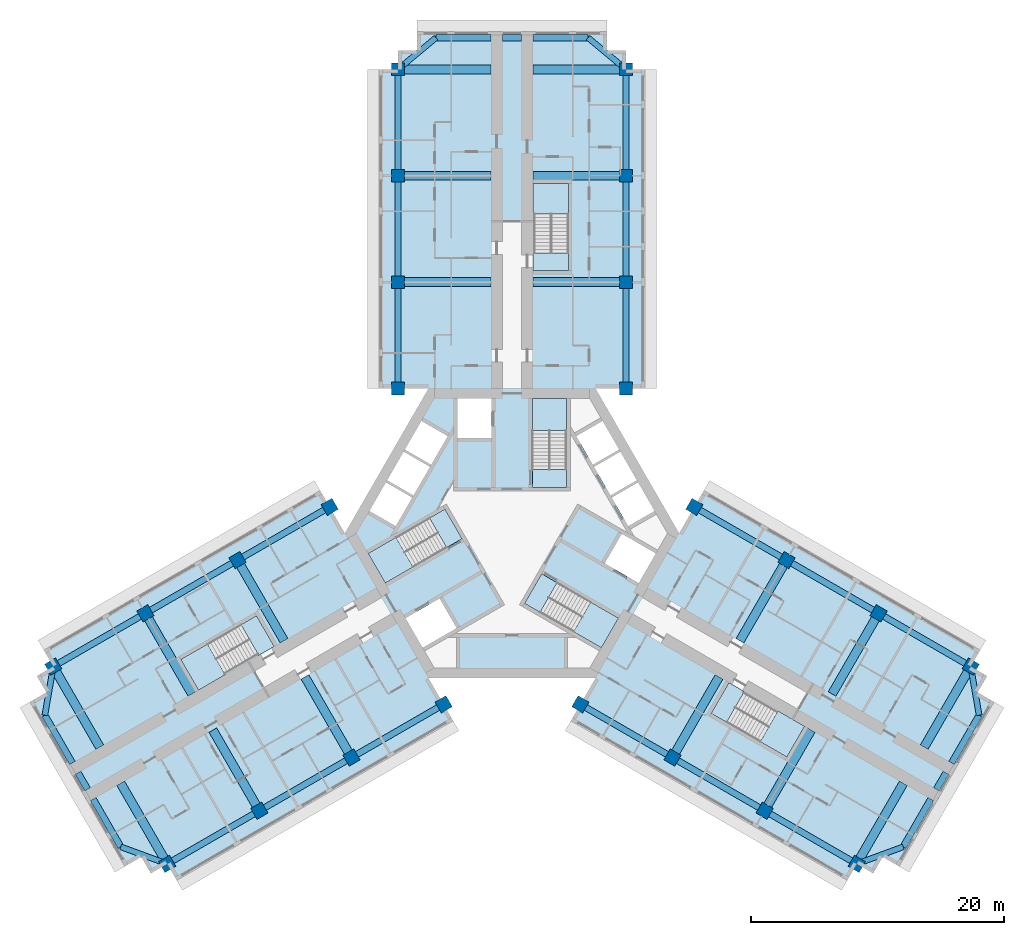
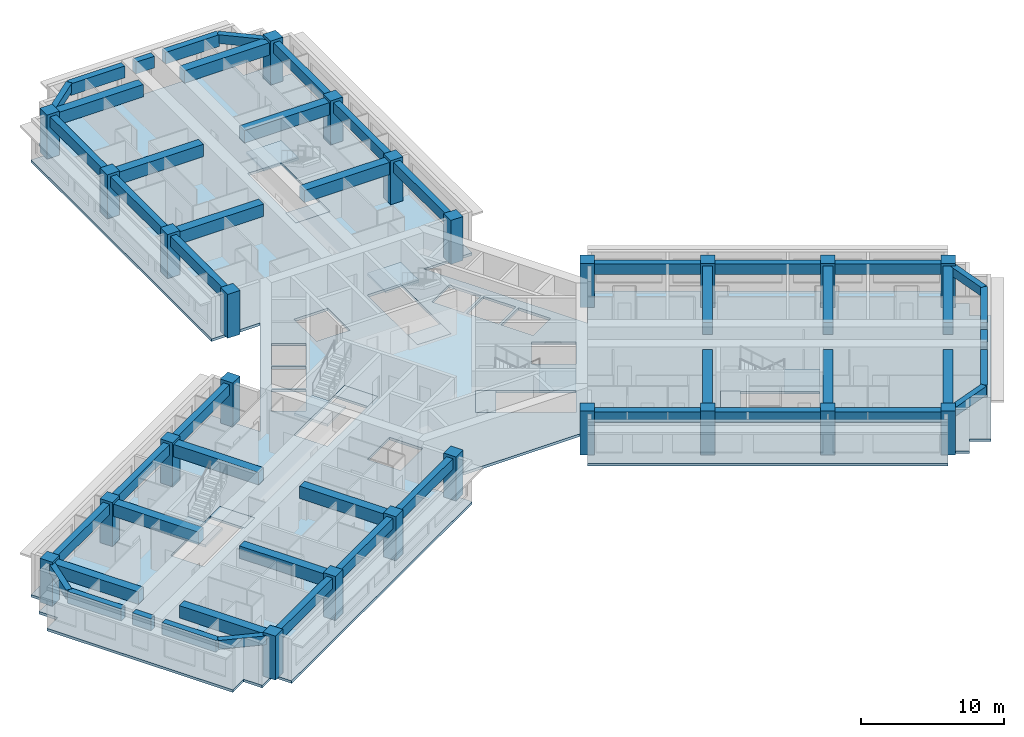
# One storey, part 1 of 12: 51 beams, 24 columns, 13 slabs, 6 elements without a shape of their own.
"""IFC4 building model written with IfcOpenShell, lengths in metres."""

from ifc_helpers import new_model, si_unit, direction, frame, origin, origin_2d, place, context, subcontext, project, spatial, polyline, rectangle, outline, extrude, material, layer, layer_set, material_profile, profile_set, type_object, element, aggregate, save


model = new_model("IFC4")

# Units and contexts
model_context = context("Model", 3, precision=1e-05, world=origin(), true_north=direction((0.0, 1.0)))
body_context = subcontext(model_context, "Body", "Model", "MODEL_VIEW")
ifc_project = project(units=[si_unit("LENGTHUNIT", "METRE"), si_unit("AREAUNIT", "SQUARE_METRE"), si_unit("VOLUMEUNIT", "CUBIC_METRE"), si_unit("PLANEANGLEUNIT", "RADIAN"), si_unit("MASSUNIT", "GRAM", prefix="KILO")], contexts=[model_context])

# Site, building, storey
site_placement = place(None, origin())
site = spatial("IfcSite", under=ifc_project, at=site_placement, CompositionType="ELEMENT")
building_placement = place(site_placement, origin())
building = spatial("IfcBuilding", under=site, at=building_placement, Name="Impinga Residences", CompositionType="ELEMENT")
storey_placement = place(building_placement, frame((0.0, 0.0, 162.25)))
storey = spatial("IfcBuildingStorey", under=building, at=storey_placement, Name="L40", CompositionType="ELEMENT", Elevation=162.25)

# Columns
ifc_material_1 = material(Name="Concrete C60/75", Category="concrete")
ifc_material_profile_1 = material_profile(ifc_material_1, rectangle(XDim=1.0, YDim=1.0, at=origin_2d()), Name="RC 1000x1000")
ifc_profile_set_1 = profile_set([ifc_material_profile_1], Name="Concrete C60/75")
column_type = type_object("IfcColumnType", Name="C3 1000x1000 column", PredefinedType="COLUMN", material=ifc_profile_set_1)
for number, where, z_axis, x_axis, name in (
    (1, (-9.0, 11.431640625, 0.0), (0.0, 0.0, 1.0), (1.0, 0.0, 0.0), "Column C3 N1/NA L40"),
    (2, (9.0, 11.431640625, 0.0), (0.0, 0.0, 1.0), (1.0, 0.0, 0.0), "Column C3 N1/NF L40"),
    (3, (-9.0, 19.83154296875, 0.0), (0.0, 0.0, 1.0), (1.0, 0.0, 0.0), "Column C3 N2/NA L40"),
    (4, (9.0, 19.83154296875, 0.0), (0.0, 0.0, 1.0), (1.0, 0.0, 0.0), "Column C3 N2/NF L40"),
    (5, (-9.0, 28.2314453125, 0.0), (0.0, 0.0, 1.0), (1.0, 0.0, 0.0), "Column C3 N3/NA L40"),
    (6, (9.0, 28.2314453125, 0.0), (0.0, 0.0, 1.0), (1.0, 0.0, 0.0), "Column C3 N3/NF L40"),
    (7, (-9.0, 36.631591796875, 0.0), (0.0, 0.0, 1.0), (1.0, 0.0, 0.0), "Column C3 N4/NA L40"),
    (8, (9.0, 36.631591796875, 0.0), (0.0, 0.0, 1.0), (1.0, 0.0, 0.0), "Column C3 N4/NF L40"),
    (9, (-5.39990234375, -13.510009765625, 0.0), (0.0, 0.0, 1.0), (-0.5, 0.866025403784, 0.0), "Column C3 W1/WA L40"),
    (10, (-14.39990234375, 2.078369140625, 0.0), (0.0, 0.0, 1.0), (-0.5, 0.866025403784, 0.0), "Column C3 W1/WF L40"),
    (11, (-12.674560546875, -17.7099609375, 0.0), (0.0, 0.0, 1.0), (-0.5, 0.866025403784, 0.0), "Column C3 W2/WA L40"),
    (12, (-21.674560546875, -2.12158203125, 0.0), (0.0, 0.0, 1.0), (-0.5, 0.866025403784, 0.0), "Column C3 W2/WF L40"),
    (13, (-19.94921875, -21.909912109375, 0.0), (0.0, 0.0, 1.0), (-0.5, 0.866025403784, 0.0), "Column C3 W3/WA L40"),
    (14, (-28.94921875, -6.321533203125, 0.0), (0.0, 0.0, 1.0), (-0.5, 0.866025403784, 0.0), "Column C3 W3/WF L40"),
    (15, (-27.223876953125, -26.110107421875, 0.0), (0.0, 0.0, 1.0), (-0.5, 0.866025403784, 0.0), "Column C3 W4/WA L40"),
    (16, (-36.223876953125, -10.521484375, 0.0), (0.0, 0.0, 1.0), (-0.5, 0.866025403784, 0.0), "Column C3 W4/WF L40"),
    (17, (14.39990234375, 2.078369140625, 0.0), (0.0, 0.0, 1.0), (-0.5, -0.866025403784, 0.0), "Column C3 E1/EA L40"),
    (18, (5.39990234375, -13.510009765625, 0.0), (0.0, 0.0, 1.0), (-0.5, -0.866025403784, 0.0), "Column C3 E1/EF L40"),
    (19, (21.674560546875, -2.12158203125, 0.0), (0.0, 0.0, 1.0), (-0.5, -0.866025403784, 0.0), "Column C3 E2/EA L40"),
    (20, (12.674560546875, -17.7099609375, 0.0), (0.0, 0.0, 1.0), (-0.5, -0.866025403784, 0.0), "Column C3 E2/EF L40"),
    (21, (28.94921875, -6.321533203125, 0.0), (0.0, 0.0, 1.0), (-0.5, -0.866025403784, 0.0), "Column C3 E3/EA L40"),
    (22, (19.94921875, -21.909912109375, 0.0), (0.0, 0.0, 1.0), (-0.5, -0.866025403784, 0.0), "Column C3 E3/EF L40"),
    (23, (36.223876953125, -10.521484375, 0.0), (0.0, 0.0, 1.0), (-0.5, -0.866025403784, 0.0), "Column C3 E4/EA L40"),
    (24, (27.223876953125, -26.110107421875, 0.0), (0.0, 0.0, 1.0), (-0.5, -0.866025403784, 0.0), "Column C3 E4/EF L40"),
):
    element("IfcColumn", number, at=place(storey_placement, frame(where, z_axis=z_axis, x_axis=x_axis)), inside=storey, type_object=column_type, Name=name, PredefinedType="COLUMN", context=body_context, shape_type="SweptSolid", body=[
        extrude(rectangle(XDim=1.0, YDim=1.0, at=origin_2d()), origin(), (0.0, 0.0, 1.0), 3.75),
    ])

# Beams
ifc_material_profile_2 = material_profile(ifc_material_1, rectangle(XDim=0.449951171875, YDim=0.75, at=origin_2d()), Name="RC 450x750")
ifc_profile_set_2 = profile_set([ifc_material_profile_2], Name="Concrete C60/75")
beam_type_1 = type_object("IfcBeamType", Name="CB1 450x750 wing end cantilever beam", PredefinedType="BEAM", material=ifc_profile_set_2)
for number, where, z_axis, x_axis, name in (
    (25, (-9.0, 36.631591796875, 3.155029296875), (0.768221279597, 0.640184399664, 0.0), (-0.640184399664, 0.768221279597, 0.0), "Beam CB1 NB N4-NX level L41"),
    (26, (9.0, 36.631591796875, 3.155029296875), (-0.768221279597, 0.640184399664, 0.0), (-0.640184399664, -0.768221279597, 0.0), "Beam CB1 NE N4-NX level L41"),
    (27, (-27.223876953125, -26.110107421875, 3.155029296875), (-0.938520178725, 0.345224382289, 0.0), (-0.345224382289, -0.938520178725, 0.0), "Beam CB1 WB W4-WX level L41"),
):
    element("IfcBeam", number, at=place(storey_placement, frame(where, z_axis=z_axis, x_axis=x_axis)), inside=storey, type_object=beam_type_1, Name=name, PredefinedType="BEAM", context=body_context, shape_type="SweptSolid", body=[
        extrude(rectangle(XDim=0.449951171875, YDim=0.75, at=origin_2d()), origin(), (0.0, 0.0, 1.0), 3.905029296875),
    ])
for number, where, z_axis, x_axis, name in (
    (28, (-36.223876953125, -10.521484375, 3.155029296875), (-0.170296298948, -0.985392901621, 0.0), (0.985392901621, -0.170296298948, 0.0), "Beam CB1 WE W4-WX level L41"),
    (29, (36.223876953125, -10.521484375, 3.155029296875), (0.170296298948, -0.985392901621, 0.0), (0.985392901621, 0.170296298948, 0.0), "Beam CB1 EB E4-EX level L41"),
):
    element("IfcBeam", number, at=place(storey_placement, frame(where, z_axis=z_axis, x_axis=x_axis)), inside=storey, type_object=beam_type_1, Name=name, PredefinedType="BEAM", context=body_context, shape_type="SweptSolid", body=[
        extrude(rectangle(XDim=0.449951171875, YDim=0.75, at=origin_2d()), origin(), (0.0, 0.0, 1.0), 3.9052734375),
    ])
beam_1_placement = place(storey_placement, frame((27.223876953125, -26.110107421875, 3.155029296875), z_axis=(0.938520178725, 0.345224382289, 0.0), x_axis=(-0.345224382289, 0.938520178725, 0.0)))
element("IfcBeam", 30, at=beam_1_placement, inside=storey, type_object=beam_type_1, Name="Beam CB1 EE E4-EX level L41", PredefinedType="BEAM", context=body_context, shape_type="SweptSolid", body=[
    extrude(rectangle(XDim=0.449951171875, YDim=0.75, at=origin_2d()), origin(), (0.0, 0.0, 1.0), 3.905029296875),
])
ifc_material_profile_3 = material_profile(ifc_material_1, rectangle(XDim=0.699951171875, YDim=1.050048828125, at=origin_2d()), Name="RC 700x1050")
ifc_profile_set_3 = profile_set([ifc_material_profile_3], Name="Concrete C60/75")
beam_type_2 = type_object("IfcBeamType", Name="CG1 700x1050 cross girder on a wing bay line", PredefinedType="BEAM", material=ifc_profile_set_3)
for number, where, z_axis, x_axis, name in (
    (31, (-1.64990234375, 19.83154296875, 3.0048828125), (-1.0, 0.0, 0.0), (0.0, -1.0, 0.0), "Beam CG1 N2 NC/NA level L41"),
    (32, (-1.64990234375, 28.2314453125, 3.0048828125), (-1.0, 0.0, 0.0), (0.0, -1.0, 0.0), "Beam CG1 N3 NC/NA level L41"),
    (33, (-1.64990234375, 36.631591796875, 3.0048828125), (-1.0, 0.0, 0.0), (0.0, -1.0, 0.0), "Beam CG1 N4 NC/NA level L41"),
    (34, (1.64990234375, 19.83154296875, 3.0048828125), (1.0, 0.0, 0.0), (0.0, 1.0, 0.0), "Beam CG1 N2 NC/NF level L41"),
    (35, (1.64990234375, 28.2314453125, 3.0048828125), (1.0, 0.0, 0.0), (0.0, 1.0, 0.0), "Beam CG1 N3 NC/NF level L41"),
    (36, (1.64990234375, 36.631591796875, 3.0048828125), (1.0, 0.0, 0.0), (0.0, 1.0, 0.0), "Beam CG1 N4 NC/NF level L41"),
    (37, (-16.349609375, -11.3447265625, 3.0048828125), (0.500008066151, -0.86602074674, 0.0), (0.86602074674, 0.500008066151, 0.0), "Beam CG1 W2 WC/WA level L41"),
    (38, (-23.624267578125, -15.544677734375, 3.0048828125), (0.500008066151, -0.86602074674, 0.0), (0.86602074674, 0.500008066151, 0.0), "Beam CG1 W3 WC/WA level L41"),
    (39, (-30.89892578125, -19.74462890625, 3.0048828125), (0.499993683172, -0.866029050776, 0.0), (0.866029050776, 0.499993683172, 0.0), "Beam CG1 W4 WC/WA level L41"),
    (40, (-17.99951171875, -8.48681640625, 3.0048828125), (-0.500008066151, 0.86602074674, 0.0), (-0.86602074674, -0.500008066151, 0.0), "Beam CG1 W2 WC/WF level L41"),
    (41, (-25.274169921875, -12.686767578125, 3.0048828125), (-0.500008066151, 0.86602074674, 0.0), (-0.86602074674, -0.500008066151, 0.0), "Beam CG1 W3 WC/WF level L41"),
    (42, (-32.548828125, -16.88671875, 3.0048828125), (-0.500008066151, 0.86602074674, 0.0), (-0.86602074674, -0.500008066151, 0.0), "Beam CG1 W4 WC/WF level L41"),
    (43, (17.99951171875, -8.48681640625, 3.0048828125), (0.500008066151, 0.86602074674, 0.0), (-0.86602074674, 0.500008066151, 0.0), "Beam CG1 E2 EC/EA level L41"),
    (44, (25.274169921875, -12.686767578125, 3.0048828125), (0.500008066151, 0.86602074674, 0.0), (-0.86602074674, 0.500008066151, 0.0), "Beam CG1 E3 EC/EA level L41"),
    (45, (32.548828125, -16.88671875, 3.0048828125), (0.500008066151, 0.86602074674, 0.0), (-0.86602074674, 0.500008066151, 0.0), "Beam CG1 E4 EC/EA level L41"),
    (46, (16.349609375, -11.3447265625, 3.0048828125), (-0.500008066151, -0.86602074674, 0.0), (0.86602074674, -0.500008066151, 0.0), "Beam CG1 E2 EC/EF level L41"),
    (47, (23.624267578125, -15.544677734375, 3.0048828125), (-0.500008066151, -0.86602074674, 0.0), (0.86602074674, -0.500008066151, 0.0), "Beam CG1 E3 EC/EF level L41"),
    (48, (30.89892578125, -19.74462890625, 3.0048828125), (-0.499993683172, -0.866029050776, 0.0), (0.866029050776, -0.499993683172, 0.0), "Beam CG1 E4 EC/EF level L41"),
):
    element("IfcBeam", number, at=place(storey_placement, frame(where, z_axis=z_axis, x_axis=x_axis)), inside=storey, type_object=beam_type_2, Name=name, PredefinedType="BEAM", context=body_context, shape_type="SweptSolid", body=[
        extrude(rectangle(XDim=0.699951171875, YDim=1.050048828125, at=origin_2d()), origin(), (0.0, 0.0, 1.0), 7.35009765625),
    ])
ifc_material_profile_4 = material_profile(ifc_material_1, rectangle(XDim=0.5, YDim=1.0, at=origin_2d()), Name="RC 500x1000")
ifc_profile_set_4 = profile_set([ifc_material_profile_4], Name="Concrete C60/75")
beam_type_3 = type_object("IfcBeamType", Name="EB1 500x1000 wing end beam", PredefinedType="BEAM", material=ifc_profile_set_4)
beam_2_placement = place(storey_placement, frame((-6.0, 39.131591796875, 3.030029296875), z_axis=(1.0, 0.0, 0.0), x_axis=(0.0, 1.0, 0.0)))
element("IfcBeam", 49, at=beam_2_placement, inside=storey, type_object=beam_type_3, Name="Beam EB1 NX3 level L41", PredefinedType="BEAM", context=body_context, shape_type="SweptSolid", body=[
    extrude(rectangle(XDim=0.5, YDim=1.0, at=origin_2d()), origin(), (0.0, 0.0, 1.0), 4.35009765625),
])
beam_3_placement = place(storey_placement, frame((-0.75, 39.131591796875, 3.030029296875), z_axis=(1.0, 0.0, 0.0), x_axis=(0.0, 1.0, 0.0)))
element("IfcBeam", 50, at=beam_3_placement, inside=storey, type_object=beam_type_3, Name="Beam EB1 NX3 level L41", PredefinedType="BEAM", context=body_context, shape_type="SweptSolid", body=[
    extrude(rectangle(XDim=0.5, YDim=1.0, at=origin_2d()), origin(), (0.0, 0.0, 1.0), 1.5),
])
for number, where, z_axis, x_axis, name in (
    (51, (1.64990234375, 39.131591796875, 3.030029296875), (1.0, 0.0, 0.0), (0.0, 1.0, 0.0), "Beam EB1 NX3 level L41"),
    (52, (-30.888916015625, -24.761962890625, 3.030029296875), (-0.499996127374, 0.866027639635, 0.0), (-0.866027639635, -0.499996127374, 0.0), "Beam EB1 WX3 level L41"),
):
    element("IfcBeam", number, at=place(storey_placement, frame(where, z_axis=z_axis, x_axis=x_axis)), inside=storey, type_object=beam_type_3, Name=name, PredefinedType="BEAM", context=body_context, shape_type="SweptSolid", body=[
        extrude(rectangle(XDim=0.5, YDim=1.0, at=origin_2d()), origin(), (0.0, 0.0, 1.0), 4.35009765625),
    ])
beam_4_placement = place(storey_placement, frame((-33.513916015625, -20.21533203125, 3.030029296875), z_axis=(-0.499990139034, 0.866031096941, 0.0), x_axis=(-0.866031096941, -0.499990139034, 0.0)))
element("IfcBeam", 53, at=beam_4_placement, inside=storey, type_object=beam_type_3, Name="Beam EB1 WX3 level L41", PredefinedType="BEAM", context=body_context, shape_type="SweptSolid", body=[
    extrude(rectangle(XDim=0.5, YDim=1.0, at=origin_2d()), origin(), (0.0, 0.0, 1.0), 1.5),
])
for number, where, z_axis, x_axis, name in (
    (54, (-34.7138671875, -18.13671875, 3.030029296875), (-0.500020430026, 0.866013608182, 0.0), (-0.866013608182, -0.500020430026, 0.0), "Beam EB1 WX3 level L41"),
    (55, (36.888916015625, -14.36962890625, 3.030029296875), (-0.500020430026, -0.866013608182, 0.0), (0.866013608182, -0.500020430026, 0.0), "Beam EB1 EX3 level L41"),
):
    element("IfcBeam", number, at=place(storey_placement, frame(where, z_axis=z_axis, x_axis=x_axis)), inside=storey, type_object=beam_type_3, Name=name, PredefinedType="BEAM", context=body_context, shape_type="SweptSolid", body=[
        extrude(rectangle(XDim=0.5, YDim=1.0, at=origin_2d()), origin(), (0.0, 0.0, 1.0), 4.349853515625),
    ])
beam_5_placement = place(storey_placement, frame((34.263916015625, -18.916259765625, 3.030029296875), z_axis=(-0.499990139034, -0.866031096941, 0.0), x_axis=(0.866031096941, -0.499990139034, 0.0)))
element("IfcBeam", 56, at=beam_5_placement, inside=storey, type_object=beam_type_3, Name="Beam EB1 EX3 level L41", PredefinedType="BEAM", context=body_context, shape_type="SweptSolid", body=[
    extrude(rectangle(XDim=0.5, YDim=1.0, at=origin_2d()), origin(), (0.0, 0.0, 1.0), 1.5),
])
beam_6_placement = place(storey_placement, frame((33.06396484375, -20.99462890625, 3.030029296875), z_axis=(-0.499996127374, -0.866027639635, 0.0), x_axis=(0.866027639635, -0.499996127374, 0.0)))
element("IfcBeam", 57, at=beam_6_placement, inside=storey, type_object=beam_type_3, Name="Beam EB1 EX3 level L41", PredefinedType="BEAM", context=body_context, shape_type="SweptSolid", body=[
    extrude(rectangle(XDim=0.5, YDim=1.0, at=origin_2d()), origin(), (0.0, 0.0, 1.0), 4.35009765625),
])
ifc_material_profile_5 = material_profile(ifc_material_1, rectangle(XDim=0.5, YDim=0.89990234375, at=origin_2d()), Name="RC 500x900")
ifc_profile_set_5 = profile_set([ifc_material_profile_5], Name="Concrete C60/75")
beam_type_4 = type_object("IfcBeamType", Name="SB1 500x900 perimeter spandrel beam", PredefinedType="SPANDREL", material=ifc_profile_set_5)
for number, where, z_axis, x_axis, name in (
    (58, (-9.0, 11.431640625, 3.080078125), (0.0, 1.0, 0.0), (-1.0, 0.0, 0.0), "Beam SB1 NA N1-N2 level L41"),
    (59, (-9.0, 19.83154296875, 3.080078125), (0.0, 1.0, 0.0), (-1.0, 0.0, 0.0), "Beam SB1 NA N2-N3 level L41"),
):
    element("IfcBeam", number, at=place(storey_placement, frame(where, z_axis=z_axis, x_axis=x_axis)), inside=storey, type_object=beam_type_4, Name=name, PredefinedType="SPANDREL", context=body_context, shape_type="SweptSolid", body=[
        extrude(rectangle(XDim=0.5, YDim=0.89990234375, at=origin_2d()), origin(), (0.0, 0.0, 1.0), 8.39990234375),
    ])
beam_7_placement = place(storey_placement, frame((-9.0, 28.2314453125, 3.080078125), z_axis=(0.0, 1.0, 0.0), x_axis=(-1.0, 0.0, 0.0)))
element("IfcBeam", 60, at=beam_7_placement, inside=storey, type_object=beam_type_4, Name="Beam SB1 NA N3-N4 level L41", PredefinedType="SPANDREL", context=body_context, shape_type="SweptSolid", body=[
    extrude(rectangle(XDim=0.5, YDim=0.89990234375, at=origin_2d()), origin(), (0.0, 0.0, 1.0), 8.400146484375),
])
for number, where, z_axis, x_axis, name in (
    (61, (9.0, 11.431640625, 3.080078125), (0.0, 1.0, 0.0), (-1.0, 0.0, 0.0), "Beam SB1 NF N1-N2 level L41"),
    (62, (9.0, 19.83154296875, 3.080078125), (0.0, 1.0, 0.0), (-1.0, 0.0, 0.0), "Beam SB1 NF N2-N3 level L41"),
):
    element("IfcBeam", number, at=place(storey_placement, frame(where, z_axis=z_axis, x_axis=x_axis)), inside=storey, type_object=beam_type_4, Name=name, PredefinedType="SPANDREL", context=body_context, shape_type="SweptSolid", body=[
        extrude(rectangle(XDim=0.5, YDim=0.89990234375, at=origin_2d()), origin(), (0.0, 0.0, 1.0), 8.39990234375),
    ])
beam_8_placement = place(storey_placement, frame((9.0, 28.2314453125, 3.080078125), z_axis=(0.0, 1.0, 0.0), x_axis=(-1.0, 0.0, 0.0)))
element("IfcBeam", 63, at=beam_8_placement, inside=storey, type_object=beam_type_4, Name="Beam SB1 NF N3-N4 level L41", PredefinedType="SPANDREL", context=body_context, shape_type="SweptSolid", body=[
    extrude(rectangle(XDim=0.5, YDim=0.89990234375, at=origin_2d()), origin(), (0.0, 0.0, 1.0), 8.400146484375),
])
for number, where, z_axis, x_axis, name in (
    (64, (-5.39990234375, -13.510009765625, 3.080078125), (-0.86602925447, -0.499993330357, 0.0), (0.499993330357, -0.86602925447, 0.0), "Beam SB1 WA W1-W2 level L41"),
    (65, (-12.674560546875, -17.7099609375, 3.080078125), (-0.86602925447, -0.499993330357, 0.0), (0.499993330357, -0.86602925447, 0.0), "Beam SB1 WA W2-W3 level L41"),
):
    element("IfcBeam", number, at=place(storey_placement, frame(where, z_axis=z_axis, x_axis=x_axis)), inside=storey, type_object=beam_type_4, Name=name, PredefinedType="SPANDREL", context=body_context, shape_type="SweptSolid", body=[
        extrude(rectangle(XDim=0.5, YDim=0.89990234375, at=origin_2d()), origin(), (0.0, 0.0, 1.0), 8.39990234375),
    ])
beam_9_placement = place(storey_placement, frame((-19.94921875, -21.909912109375, 3.080078125), z_axis=(-0.866016669275, -0.500015128309, 0.0), x_axis=(0.500015128309, -0.866016669275, 0.0)))
element("IfcBeam", 66, at=beam_9_placement, inside=storey, type_object=beam_type_4, Name="Beam SB1 WA W3-W4 level L41", PredefinedType="SPANDREL", context=body_context, shape_type="SweptSolid", body=[
    extrude(rectangle(XDim=0.5, YDim=0.89990234375, at=origin_2d()), origin(), (0.0, 0.0, 1.0), 8.400146484375),
])
for number, where, z_axis, x_axis, name in (
    (67, (-14.39990234375, 2.078369140625, 3.080078125), (-0.86602925447, -0.499993330357, 0.0), (0.499993330357, -0.86602925447, 0.0), "Beam SB1 WF W1-W2 level L41"),
    (68, (-21.674560546875, -2.12158203125, 3.080078125), (-0.86602925447, -0.499993330357, 0.0), (0.499993330357, -0.86602925447, 0.0), "Beam SB1 WF W2-W3 level L41"),
    (69, (-28.94921875, -6.321533203125, 3.080078125), (-0.86602925447, -0.499993330357, 0.0), (0.499993330357, -0.86602925447, 0.0), "Beam SB1 WF W3-W4 level L41"),
    (70, (14.39990234375, 2.078369140625, 3.080078125), (0.86602925447, -0.499993330357, 0.0), (0.499993330357, 0.86602925447, 0.0), "Beam SB1 EA E1-E2 level L41"),
    (71, (21.674560546875, -2.12158203125, 3.080078125), (0.86602925447, -0.499993330357, 0.0), (0.499993330357, 0.86602925447, 0.0), "Beam SB1 EA E2-E3 level L41"),
    (72, (28.94921875, -6.321533203125, 3.080078125), (0.86602925447, -0.499993330357, 0.0), (0.499993330357, 0.86602925447, 0.0), "Beam SB1 EA E3-E4 level L41"),
    (73, (5.39990234375, -13.510009765625, 3.080078125), (0.86602925447, -0.499993330357, 0.0), (0.499993330357, 0.86602925447, 0.0), "Beam SB1 EF E1-E2 level L41"),
    (74, (12.674560546875, -17.7099609375, 3.080078125), (0.86602925447, -0.499993330357, 0.0), (0.499993330357, 0.86602925447, 0.0), "Beam SB1 EF E2-E3 level L41"),
):
    element("IfcBeam", number, at=place(storey_placement, frame(where, z_axis=z_axis, x_axis=x_axis)), inside=storey, type_object=beam_type_4, Name=name, PredefinedType="SPANDREL", context=body_context, shape_type="SweptSolid", body=[
        extrude(rectangle(XDim=0.5, YDim=0.89990234375, at=origin_2d()), origin(), (0.0, 0.0, 1.0), 8.39990234375),
    ])
beam_10_placement = place(storey_placement, frame((19.94921875, -21.909912109375, 3.080078125), z_axis=(0.866016669275, -0.500015128309, 0.0), x_axis=(0.500015128309, 0.866016669275, 0.0)))
element("IfcBeam", 75, at=beam_10_placement, inside=storey, type_object=beam_type_4, Name="Beam SB1 EF E3-E4 level L41", PredefinedType="SPANDREL", context=body_context, shape_type="SweptSolid", body=[
    extrude(rectangle(XDim=0.5, YDim=0.89990234375, at=origin_2d()), origin(), (0.0, 0.0, 1.0), 8.400146484375),
])

# Slab
ifc_layer_1 = layer(ifc_material_1, 0.219970703125)
ifc_layer_set_1 = layer_set([ifc_layer_1], Name="Concrete C60/75")
slab_type_1 = type_object("IfcSlabType", Name="FS1 tower floor slab 220", PredefinedType="FLOOR", material=ifc_layer_set_1)
slab_1_placement = place(storey_placement, frame((0.0, 0.0, -0.219970703125)))
element("IfcSlab", 76, at=slab_1_placement, inside=storey, type_object=slab_type_1, Name="Floor slab FS1 L40", PredefinedType="FLOOR", context=body_context, shape_type="SweptSolid", body=[
    extrude(outline(polyline([(-27.223876953125, -26.110107421875), (-28.52294921875, -26.860107421875), (-29.27294921875, -25.56103515625), (-30.572021484375, -26.31103515625), (-38.072021484375, -13.320556640625), (-36.77294921875, -12.570556640625), (-37.52294921875, -11.271484375), (-36.223876953125, -10.521484375), (-36.973876953125, -9.222412109375), (-15.14990234375, 3.37744140625), (-13.199951171875, 0.0), (-6.60009765625, 11.431640625), (-10.5, 11.431640625), (-10.5, 36.631591796875), (-9.0, 36.631591796875), (-9.0, 38.131591796875), (-7.5, 38.131591796875), (-7.5, 39.631591796875), (7.5, 39.631591796875), (7.5, 38.131591796875), (9.0, 38.131591796875), (9.0, 36.631591796875), (10.5, 36.631591796875), (10.5, 11.431640625), (6.60009765625, 11.431640625), (13.199951171875, 0.0), (15.14990234375, 3.37744140625), (36.973876953125, -9.222412109375), (36.223876953125, -10.521484375), (37.52294921875, -11.271484375), (36.77294921875, -12.570556640625), (38.072021484375, -13.320556640625), (30.572021484375, -26.31103515625), (29.27294921875, -25.56103515625), (28.52294921875, -26.860107421875), (27.223876953125, -26.110107421875), (26.473876953125, -27.408935546875), (4.64990234375, -14.80908203125), (9.900146484375, -5.7158203125), (6.60009765625, -11.431640625), (-6.60009765625, -11.431640625), (-9.900146484375, -5.7158203125), (-4.64990234375, -14.80908203125), (-26.473876953125, -27.408935546875), (-27.223876953125, -26.110107421875)]), holes=[polyline([(-18.779052734375, -8.936767578125), (-18.8291015625, -8.850341796875), (-18.8291015625, -8.850341796875), (-20.178955078125, -6.511962890625), (-21.391357421875, -7.2119140625), (-21.391357421875, -7.2119140625), (-26.154541015625, -9.9619140625), (-24.8046875, -12.30029296875), (-20.04150390625, -9.55029296875), (-19.991455078125, -9.63671875), (-18.779052734375, -8.936767578125)]), polyline([(-4.37109375, -7.489013671875), (-5.72119140625, -5.150634765625), (-8.4072265625, -6.701416015625), (-7.05712890625, -9.039794921875), (-4.37109375, -7.489013671875)]), polyline([(-3.943603515625, -0.429443359375), (-5.293701171875, 1.908935546875), (-11.357177734375, -1.591796875), (-10.007080078125, -3.93017578125), (-3.943603515625, -0.429443359375)]), polyline([(-7.878662109375, 2.816650390625), (-9.957275390625, 4.016845703125), (-11.257080078125, 1.76513671875), (-9.1787109375, 0.56494140625), (-7.878662109375, 2.816650390625)]), polyline([(-6.478759765625, 5.24169921875), (-8.55712890625, 6.441650390625), (-9.857177734375, 4.18994140625), (-7.77880859375, 2.989990234375), (-6.478759765625, 5.24169921875)]), polyline([(4.300048828125, 3.6298828125), (4.300048828125, 10.631591796875), (1.60009765625, 10.631591796875), (1.60009765625, 3.6298828125), (4.300048828125, 3.6298828125)]), polyline([(-6.378662109375, 5.414794921875), (-5.07861328125, 7.66650390625), (-7.1572265625, 8.866455078125), (-8.457275390625, 6.61474609375), (-6.378662109375, 5.414794921875)]), polyline([(-4.300048828125, 7.530029296875), (-1.60009765625, 7.530029296875), (-1.60009765625, 10.631591796875), (-4.300048828125, 10.631591796875), (-4.300048828125, 7.530029296875)]), polyline([(4.449951171875, 20.7314453125), (4.449951171875, 22.131591796875), (4.449951171875, 27.631591796875), (1.75, 27.631591796875), (1.75, 22.131591796875), (1.64990234375, 22.131591796875), (1.64990234375, 20.7314453125), (1.75, 20.7314453125), (4.449951171875, 20.7314453125)]), polyline([(15.72900390625, -14.219482421875), (21.70458984375, -17.669677734375), (23.0546875, -15.331298828125), (18.29150390625, -12.581298828125), (18.341552734375, -12.49462890625), (17.129150390625, -11.794677734375), (15.72900390625, -14.219482421875)]), polyline([(2.34375, -3.20068359375), (0.99365234375, -5.538818359375), (7.05712890625, -9.039794921875), (8.4072265625, -6.701416015625), (2.34375, -3.20068359375)]), polyline([(7.3212890625, -2.37939453125), (10.007080078125, -3.93017578125), (11.357177734375, -1.591796875), (8.671142578125, -0.041015625), (7.3212890625, -2.37939453125)]), polyline([(7.878662109375, 2.816650390625), (9.1787109375, 0.56494140625), (11.257080078125, 1.76513671875), (9.957275390625, 4.016845703125), (7.878662109375, 2.816650390625)]), polyline([(6.478759765625, 5.24169921875), (7.77880859375, 2.989990234375), (9.857177734375, 4.18994140625), (8.55712890625, 6.441650390625), (6.478759765625, 5.24169921875)]), polyline([(6.378662109375, 5.414794921875), (8.457275390625, 6.61474609375), (7.1572265625, 8.866455078125), (5.07861328125, 7.66650390625), (6.378662109375, 5.414794921875)])]), origin(), (0.0, 0.0, 1.0), 0.219970703125),
])

# Stair, slabs
ifc_material_2 = material(Name="Concrete C40/50", Category="concrete")
stair_type_1 = type_object("IfcStairType", Name="STR core stair 3750 storey, 24 risers", PredefinedType="HALF_TURN_STAIR", material=ifc_material_2)
stair_1_placement = place(storey_placement, origin())
stair_1 = element("IfcStair", 77, at=stair_1_placement, inside=storey, type_object=stair_type_1, Name="Stair ST1 L40", PredefinedType="HALF_TURN_STAIR")
ifc_layer_2 = layer(ifc_material_2, 0.199951171875)
ifc_layer_set_2 = layer_set([ifc_layer_2], Name="Concrete C40/50")
slab_type_2 = type_object("IfcSlabType", Name="LS1 stair landing 200", PredefinedType="LANDING", material=ifc_layer_set_2)
slab_2_placement = place(storey_placement, frame((0.0, 0.0, -0.199951171875)))
slab_2 = element("IfcSlab", 78, at=slab_2_placement, type_object=slab_type_2, Name="ST1 landing 1", PredefinedType="LANDING", context=body_context, shape_type="SweptSolid", body=[
    extrude(outline(polyline([(1.60009765625, 3.6298828125), (4.300048828125, 3.6298828125), (4.300048828125, 5.0400390625), (1.60009765625, 5.0400390625), (1.60009765625, 3.6298828125)])), origin(), (0.0, 0.0, 1.0), 0.199951171875),
])
slab_3_placement = place(storey_placement, frame((0.0, 0.0, 1.675048828125)))
slab_3 = element("IfcSlab", 79, at=slab_3_placement, type_object=slab_type_2, Name="ST1 landing 2", PredefinedType="LANDING", context=body_context, shape_type="SweptSolid", body=[
    extrude(outline(polyline([(1.60009765625, 8.10009765625), (4.300048828125, 8.10009765625), (4.300048828125, 10.631591796875), (1.60009765625, 10.631591796875), (1.60009765625, 8.10009765625)])), origin(), (0.0, 0.0, 1.0), 0.199951171875),
])
aggregate(stair_1, [slab_2, slab_3])

stair_2_placement = place(storey_placement, origin())
stair_2 = element("IfcStair", 80, at=stair_2_placement, inside=storey, type_object=stair_type_1, Name="Stair ST2 L40", PredefinedType="HALF_TURN_STAIR")
slab_4_placement = place(storey_placement, frame((0.0, 0.0, -0.199951171875)))
slab_4 = element("IfcSlab", 81, at=slab_4_placement, type_object=slab_type_2, Name="ST2 landing 1", PredefinedType="LANDING", context=body_context, shape_type="SweptSolid", body=[
    extrude(outline(polyline([(-3.943603515625, -0.429443359375), (-5.293701171875, 1.908935546875), (-6.5146484375, 1.203857421875), (-5.164794921875, -1.13427734375), (-3.943603515625, -0.429443359375)])), origin(), (0.0, 0.0, 1.0), 0.199951171875),
])
slab_5_placement = place(storey_placement, frame((0.0, 0.0, 1.675048828125)))
slab_5 = element("IfcSlab", 82, at=slab_5_placement, type_object=slab_type_2, Name="ST2 landing 2", PredefinedType="LANDING", context=body_context, shape_type="SweptSolid", body=[
    extrude(outline(polyline([(-7.814697265625, -2.664306640625), (-9.164794921875, -0.326171875), (-11.357177734375, -1.591796875), (-10.007080078125, -3.93017578125), (-7.814697265625, -2.664306640625)])), origin(), (0.0, 0.0, 1.0), 0.199951171875),
])
aggregate(stair_2, [slab_4, slab_5])

stair_3_placement = place(storey_placement, origin())
stair_3 = element("IfcStair", 83, at=stair_3_placement, inside=storey, type_object=stair_type_1, Name="Stair ST3 L40", PredefinedType="HALF_TURN_STAIR")
slab_6_placement = place(storey_placement, frame((0.0, 0.0, -0.199951171875)))
slab_6 = element("IfcSlab", 84, at=slab_6_placement, type_object=slab_type_2, Name="ST3 landing 1", PredefinedType="LANDING", context=body_context, shape_type="SweptSolid", body=[
    extrude(outline(polyline([(2.34375, -3.20068359375), (0.99365234375, -5.538818359375), (2.21484375, -6.243896484375), (3.564697265625, -3.90576171875), (2.34375, -3.20068359375)])), origin(), (0.0, 0.0, 1.0), 0.199951171875),
])
slab_7_placement = place(storey_placement, frame((0.0, 0.0, 1.675048828125)))
slab_7 = element("IfcSlab", 85, at=slab_7_placement, type_object=slab_type_2, Name="ST3 landing 2", PredefinedType="LANDING", context=body_context, shape_type="SweptSolid", body=[
    extrude(outline(polyline([(6.21484375, -5.435546875), (4.86474609375, -7.77392578125), (7.05712890625, -9.039794921875), (8.4072265625, -6.701416015625), (6.21484375, -5.435546875)])), origin(), (0.0, 0.0, 1.0), 0.199951171875),
])
aggregate(stair_3, [slab_6, slab_7])

stair_type_2 = type_object("IfcStairType", Name="STR wing stair 3750 storey, 24 risers", PredefinedType="HALF_TURN_STAIR", material=ifc_material_2)
stair_4_placement = place(storey_placement, origin())
stair_4 = element("IfcStair", 86, at=stair_4_placement, inside=storey, type_object=stair_type_2, Name="Stair WS1 L40", PredefinedType="HALF_TURN_STAIR")
slab_8_placement = place(storey_placement, frame((0.0, 0.0, -0.199951171875)))
slab_8 = element("IfcSlab", 87, at=slab_8_placement, type_object=slab_type_2, Name="WS1 landing 1", PredefinedType="LANDING", context=body_context, shape_type="SweptSolid", body=[
    extrude(outline(polyline([(1.64990234375, 20.7314453125), (4.449951171875, 20.7314453125), (4.449951171875, 22.1416015625), (1.64990234375, 22.1416015625), (1.64990234375, 20.7314453125)])), origin(), (0.0, 0.0, 1.0), 0.199951171875),
])
slab_9_placement = place(storey_placement, frame((0.0, 0.0, 1.675048828125)))
slab_9 = element("IfcSlab", 88, at=slab_9_placement, type_object=slab_type_2, Name="WS1 landing 2", PredefinedType="LANDING", context=body_context, shape_type="SweptSolid", body=[
    extrude(outline(polyline([(1.64990234375, 25.201416015625), (4.449951171875, 25.201416015625), (4.449951171875, 27.631591796875), (1.64990234375, 27.631591796875), (1.64990234375, 25.201416015625)])), origin(), (0.0, 0.0, 1.0), 0.199951171875),
])
aggregate(stair_4, [slab_8, slab_9])

stair_5_placement = place(storey_placement, origin())
stair_5 = element("IfcStair", 89, at=stair_5_placement, inside=storey, type_object=stair_type_2, Name="Stair WS2 L40", PredefinedType="HALF_TURN_STAIR")
slab_10_placement = place(storey_placement, frame((0.0, 0.0, -0.199951171875)))
slab_10 = element("IfcSlab", 90, at=slab_10_placement, type_object=slab_type_2, Name="WS2 landing 1", PredefinedType="LANDING", context=body_context, shape_type="SweptSolid", body=[
    extrude(outline(polyline([(-18.779052734375, -8.936767578125), (-20.178955078125, -6.511962890625), (-21.400146484375, -7.217041015625), (-20.000244140625, -9.641845703125), (-18.779052734375, -8.936767578125)])), origin(), (0.0, 0.0, 1.0), 0.199951171875),
])
slab_11_placement = place(storey_placement, frame((0.0, 0.0, 1.675048828125)))
slab_11 = element("IfcSlab", 91, at=slab_11_placement, type_object=slab_type_2, Name="WS2 landing 2", PredefinedType="LANDING", context=body_context, shape_type="SweptSolid", body=[
    extrude(outline(polyline([(-22.650146484375, -11.171875), (-24.050048828125, -8.7470703125), (-26.154541015625, -9.9619140625), (-24.754638671875, -12.38671875), (-22.650146484375, -11.171875)])), origin(), (0.0, 0.0, 1.0), 0.199951171875),
])
aggregate(stair_5, [slab_10, slab_11])

stair_6_placement = place(storey_placement, origin())
stair_6 = element("IfcStair", 92, at=stair_6_placement, inside=storey, type_object=stair_type_2, Name="Stair WS3 L40", PredefinedType="HALF_TURN_STAIR")
slab_12_placement = place(storey_placement, frame((0.0, 0.0, -0.199951171875)))
slab_12 = element("IfcSlab", 93, at=slab_12_placement, type_object=slab_type_2, Name="WS3 landing 1", PredefinedType="LANDING", context=body_context, shape_type="SweptSolid", body=[
    extrude(outline(polyline([(17.129150390625, -11.794677734375), (15.72900390625, -14.219482421875), (16.9501953125, -14.924560546875), (18.35009765625, -12.499755859375), (17.129150390625, -11.794677734375)])), origin(), (0.0, 0.0, 1.0), 0.199951171875),
])
slab_13_placement = place(storey_placement, frame((0.0, 0.0, 1.675048828125)))
slab_13 = element("IfcSlab", 94, at=slab_13_placement, type_object=slab_type_2, Name="WS3 landing 2", PredefinedType="LANDING", context=body_context, shape_type="SweptSolid", body=[
    extrude(outline(polyline([(21.000244140625, -14.02978515625), (19.60009765625, -16.45458984375), (21.70458984375, -17.669677734375), (23.1044921875, -15.24462890625), (21.000244140625, -14.02978515625)])), origin(), (0.0, 0.0, 1.0), 0.199951171875),
])
aggregate(stair_6, [slab_12, slab_13])

save(model, "model.ifc")
